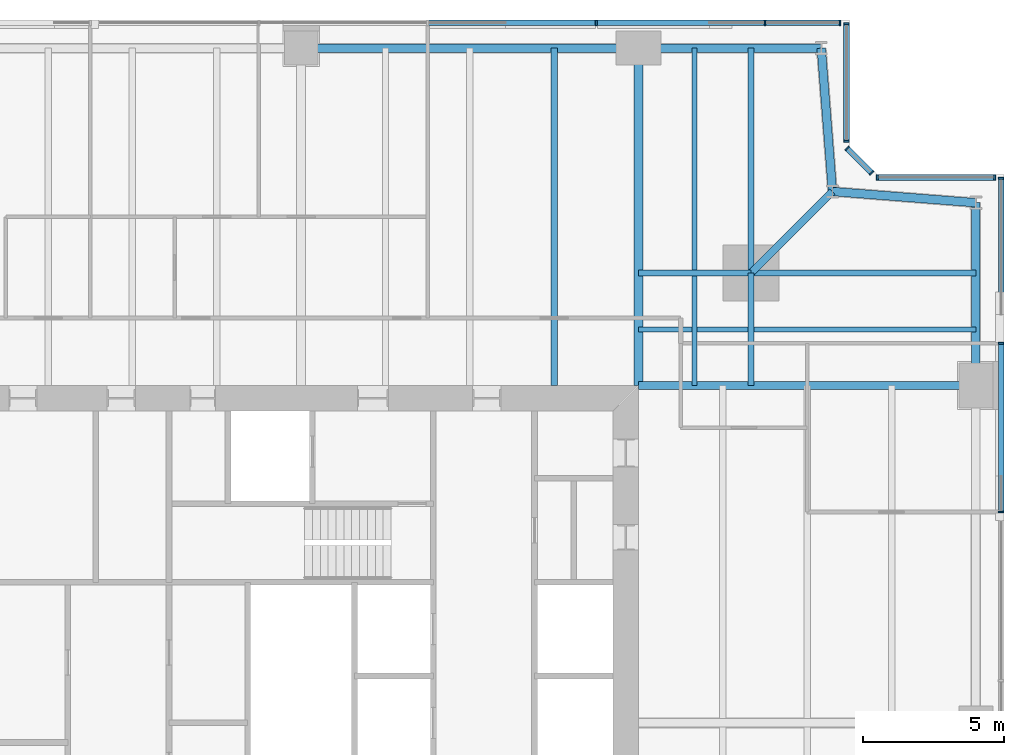
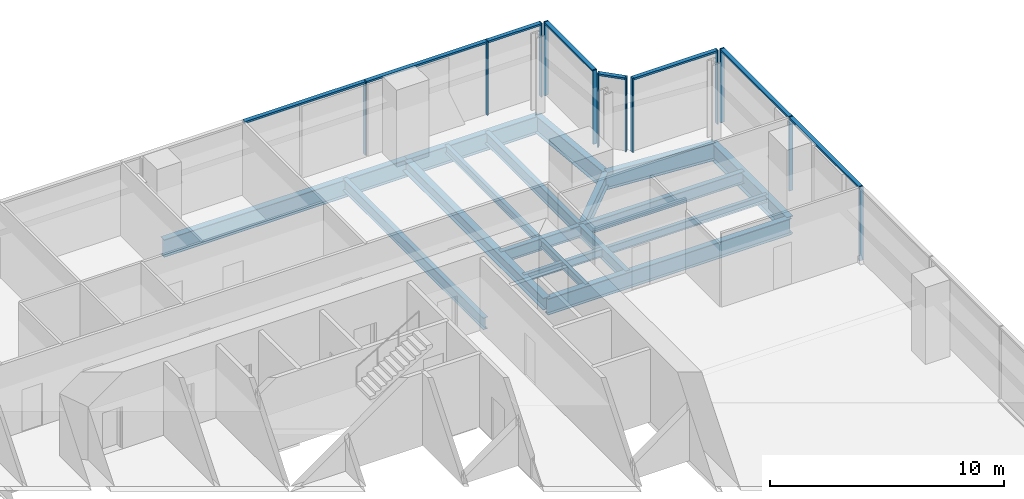
# One storey, part 7 of 14: 20 members, 18 beams, 5 elements without a shape of their own.
"""IFC4 building model written with IfcOpenShell, lengths in metres."""

from ifc_helpers import new_model, si_unit, direction, frame, origin, origin_2d, place, context, subcontext, project, spatial, rectangle, i_section, extrude, material, material_profile, profile_set, type_object, element, aggregate, save


model = new_model("IFC4")

# Units and contexts
model_context = context("Model", 3, precision=1e-05, world=origin(), true_north=direction((0.0, 1.0)))
body_context = subcontext(model_context, "Body", "Model", "MODEL_VIEW")
ifc_project = project(units=[si_unit("LENGTHUNIT", "METRE"), si_unit("AREAUNIT", "SQUARE_METRE"), si_unit("VOLUMEUNIT", "CUBIC_METRE"), si_unit("PLANEANGLEUNIT", "RADIAN"), si_unit("MASSUNIT", "GRAM", prefix="KILO")], contexts=[model_context])

# Site, building, storey
site_placement = place(None, origin())
site = spatial("IfcSite", under=ifc_project, at=site_placement, CompositionType="ELEMENT")
building_placement = place(site_placement, origin())
building = spatial("IfcBuilding", under=site, at=building_placement, Name="Fenwick Lantern Interchange", CompositionType="ELEMENT")
storey_placement = place(building_placement, frame((0.0, 0.0, 197.800048828125)))
storey = spatial("IfcBuildingStorey", under=building, at=storey_placement, Name="L46", CompositionType="ELEMENT", Elevation=197.800048828125)

# Beams
ifc_material_1 = material(Name="Steel ASTM A992 Grade 50", Category="steel")
ifc_material_profile_1 = material_profile(ifc_material_1, i_section(OverallWidth=0.3046875, OverallDepth=0.911865234375, WebThickness=0.015869140625, FlangeThickness=0.02392578125, at=origin_2d()), Name="W36X150")
ifc_profile_set_1 = profile_set([ifc_material_profile_1], Name="Steel ASTM A992 Grade 50")
beam_type_1 = type_object("IfcBeamType", Name="EDGE BEAM W36X150", PredefinedType="SPANDREL", material=ifc_profile_set_1)
beam_1_placement = place(storey_placement, frame((49.0, 37.0, -0.60595703125), z_axis=(0.0, 1.0, 0.0), x_axis=(-1.0, 0.0, 0.0)))
element("IfcBeam", 1, at=beam_1_placement, inside=storey, type_object=beam_type_1, Name="L46/FR/E/EB4", PredefinedType="SPANDREL", context=body_context, shape_type="SweptSolid", body=[
    extrude(i_section(OverallWidth=0.3046875, OverallDepth=0.911865234375, WebThickness=0.015869140625, FlangeThickness=0.02392578125, at=origin_2d()), origin(), (0.0, 0.0, 1.0), 6.5),
])
for number, where, z_axis, x_axis, name in (
    (2, (49.0, 43.5, -0.60595703125), (-0.99693998236, 0.078170784639, 0.0), (-0.078170784639, -0.99693998236, 0.0), "L46/FR/E/EBR1"),
    (3, (43.89990234375, 43.89990234375, -0.60595703125), (-0.078170784639, 0.99693998236, 0.0), (-0.99693998236, -0.078170784639, 0.0), "L46/FR/E/EBR2"),
):
    element("IfcBeam", number, at=place(storey_placement, frame(where, z_axis=z_axis, x_axis=x_axis)), inside=storey, type_object=beam_type_1, Name=name, PredefinedType="SPANDREL", context=body_context, shape_type="SweptSolid", body=[
        extrude(i_section(OverallWidth=0.3046875, OverallDepth=0.911865234375, WebThickness=0.015869140625, FlangeThickness=0.02392578125, at=origin_2d()), origin(), (0.0, 0.0, 1.0), 5.11572265625),
    ])
beam_2_placement = place(storey_placement, frame((43.5, 49.0, -0.60595703125), z_axis=(-1.0, 0.0, 0.0), x_axis=(0.0, -1.0, 0.0)))
element("IfcBeam", 4, at=beam_2_placement, inside=storey, type_object=beam_type_1, Name="L46/FR/N/EB1", PredefinedType="SPANDREL", context=body_context, shape_type="SweptSolid", body=[
    extrude(i_section(OverallWidth=0.3046875, OverallDepth=0.911865234375, WebThickness=0.015869140625, FlangeThickness=0.02392578125, at=origin_2d()), origin(), (0.0, 0.0, 1.0), 6.5),
])
beam_3_placement = place(storey_placement, frame((37.0, 49.0, -0.60595703125), z_axis=(-1.0, 0.0, 0.0), x_axis=(0.0, -1.0, 0.0)))
element("IfcBeam", 5, at=beam_3_placement, inside=storey, type_object=beam_type_1, Name="L46/FR/N/EB2", PredefinedType="SPANDREL", context=body_context, shape_type="SweptSolid", body=[
    extrude(i_section(OverallWidth=0.3046875, OverallDepth=0.911865234375, WebThickness=0.015869140625, FlangeThickness=0.02392578125, at=origin_2d()), origin(), (0.0, 0.0, 1.0), 12.0),
])
ifc_material_profile_2 = material_profile(ifc_material_1, i_section(OverallWidth=0.22900390625, OverallDepth=0.612060546875, WebThickness=0.011962890625, FlangeThickness=0.01953125, at=origin_2d()), Name="W24X84")
ifc_profile_set_2 = profile_set([ifc_material_profile_2], Name="Steel ASTM A992 Grade 50")
beam_type_2 = type_object("IfcBeamType", Name="FLOOR BEAM W24X84", PredefinedType="BEAM", material=ifc_profile_set_2)
beam_4_placement = place(storey_placement, frame((34.0, 49.0, -0.4560546875), z_axis=(0.0, -1.0, 0.0), x_axis=(1.0, 0.0, 0.0)))
element("IfcBeam", 6, at=beam_4_placement, inside=storey, type_object=beam_type_2, Name="L46/FR/N/R02", PredefinedType="BEAM", context=body_context, shape_type="SweptSolid", body=[
    extrude(i_section(OverallWidth=0.22900390625, OverallDepth=0.612060546875, WebThickness=0.011962890625, FlangeThickness=0.01953125, at=origin_2d()), origin(), (0.0, 0.0, 1.0), 12.0),
])
ifc_material_profile_3 = material_profile(ifc_material_1, i_section(OverallWidth=0.177734375, OverallDepth=0.406494140625, WebThickness=0.0078125, FlangeThickness=0.012939453125, at=origin_2d()), Name="W16X40")
ifc_profile_set_3 = profile_set([ifc_material_profile_3], Name="Steel ASTM A992 Grade 50")
beam_type_3 = type_object("IfcBeamType", Name="INFILL BEAM W16X40", PredefinedType="JOIST", material=ifc_profile_set_3)
beam_5_placement = place(storey_placement, frame((39.0, 49.0, -0.353271484375), z_axis=(0.0, -1.0, 0.0), x_axis=(1.0, 0.0, 0.0)))
element("IfcBeam", 7, at=beam_5_placement, inside=storey, type_object=beam_type_3, Name="L46/FR/N/J1", PredefinedType="JOIST", context=body_context, shape_type="SweptSolid", body=[
    extrude(i_section(OverallWidth=0.177734375, OverallDepth=0.406494140625, WebThickness=0.0078125, FlangeThickness=0.012939453125, at=origin_2d()), origin(), (0.0, 0.0, 1.0), 7.885498046875),
])
beam_6_placement = place(storey_placement, frame((39.0, 40.885498046875, -0.353271484375), z_axis=(0.0, -1.0, 0.0), x_axis=(1.0, 0.0, 0.0)))
element("IfcBeam", 8, at=beam_6_placement, inside=storey, type_object=beam_type_3, Name="L46/FR/N/J2", PredefinedType="JOIST", context=body_context, shape_type="SweptSolid", body=[
    extrude(i_section(OverallWidth=0.177734375, OverallDepth=0.406494140625, WebThickness=0.0078125, FlangeThickness=0.012939453125, at=origin_2d()), origin(), (0.0, 0.0, 1.0), 3.885498046875),
])
beam_7_placement = place(storey_placement, frame((49.0, 39.0, -0.353271484375), z_axis=(-1.0, 0.0, 0.0), x_axis=(0.0, -1.0, 0.0)))
element("IfcBeam", 9, at=beam_7_placement, inside=storey, type_object=beam_type_3, Name="L46/FR/N/J3", PredefinedType="JOIST", context=body_context, shape_type="SweptSolid", body=[
    extrude(i_section(OverallWidth=0.177734375, OverallDepth=0.406494140625, WebThickness=0.0078125, FlangeThickness=0.012939453125, at=origin_2d()), origin(), (0.0, 0.0, 1.0), 7.885498046875),
])
beam_8_placement = place(storey_placement, frame((40.885498046875, 39.0, -0.353271484375), z_axis=(-1.0, 0.0, 0.0), x_axis=(0.0, -1.0, 0.0)))
element("IfcBeam", 10, at=beam_8_placement, inside=storey, type_object=beam_type_3, Name="L46/FR/N/J4", PredefinedType="JOIST", context=body_context, shape_type="SweptSolid", body=[
    extrude(i_section(OverallWidth=0.177734375, OverallDepth=0.406494140625, WebThickness=0.0078125, FlangeThickness=0.012939453125, at=origin_2d()), origin(), (0.0, 0.0, 1.0), 1.796630859375),
])
beam_9_placement = place(storey_placement, frame((38.9111328125, 39.0, -0.353271484375), z_axis=(-1.0, 0.0, 0.0), x_axis=(0.0, -1.0, 0.0)))
element("IfcBeam", 11, at=beam_9_placement, inside=storey, type_object=beam_type_3, Name="L46/FR/N/J5", PredefinedType="JOIST", context=body_context, shape_type="SweptSolid", body=[
    extrude(i_section(OverallWidth=0.177734375, OverallDepth=0.406494140625, WebThickness=0.0078125, FlangeThickness=0.012939453125, at=origin_2d()), origin(), (0.0, 0.0, 1.0), 1.9111328125),
])
ifc_material_profile_4 = material_profile(ifc_material_1, i_section(OverallWidth=0.22900390625, OverallDepth=0.612060546875, WebThickness=0.011962890625, FlangeThickness=0.01953125, at=origin_2d()), Name="W24X84")
ifc_profile_set_4 = profile_set([ifc_material_profile_4], Name="Steel ASTM A992 Grade 50")
beam_type_4 = type_object("IfcBeamType", Name="MEGA COLUMN BEAM W24X84", PredefinedType="BEAM", material=ifc_profile_set_4)
for number, where, z_axis, x_axis, name in (
    (12, (41.0, 41.0, -0.4560546875), (0.0, 1.0, 0.0), (-1.0, 0.0, 0.0), "L46/FR/N/MB1"),
    (13, (41.0, 41.0, -0.4560546875), (1.0, 0.0, 0.0), (0.0, 1.0, 0.0), "L46/FR/N/MB2"),
):
    element("IfcBeam", number, at=place(storey_placement, frame(where, z_axis=z_axis, x_axis=x_axis)), inside=storey, type_object=beam_type_4, Name=name, PredefinedType="BEAM", context=body_context, shape_type="SweptSolid", body=[
        extrude(i_section(OverallWidth=0.22900390625, OverallDepth=0.612060546875, WebThickness=0.011962890625, FlangeThickness=0.01953125, at=origin_2d()), origin(), (0.0, 0.0, 1.0), 8.0),
    ])
for number, where, z_axis, x_axis, name in (
    (14, (41.0, 41.0, -0.4560546875), (-1.0, 0.0, 0.0), (0.0, -1.0, 0.0), "L46/FR/N/MB3"),
    (15, (41.0, 41.0, -0.4560546875), (0.0, -1.0, 0.0), (1.0, 0.0, 0.0), "L46/FR/N/MB4"),
):
    element("IfcBeam", number, at=place(storey_placement, frame(where, z_axis=z_axis, x_axis=x_axis)), inside=storey, type_object=beam_type_4, Name=name, PredefinedType="BEAM", context=body_context, shape_type="SweptSolid", body=[
        extrude(i_section(OverallWidth=0.22900390625, OverallDepth=0.612060546875, WebThickness=0.011962890625, FlangeThickness=0.01953125, at=origin_2d()), origin(), (0.0, 0.0, 1.0), 4.0),
    ])
ifc_material_profile_5 = material_profile(ifc_material_1, i_section(OverallWidth=0.32763671875, OverallDepth=0.622314453125, WebThickness=0.015380859375, FlangeThickness=0.0244140625, at=origin_2d()), Name="W24X131")
ifc_profile_set_5 = profile_set([ifc_material_profile_5], Name="Steel ASTM A992 Grade 50")
beam_type_5 = type_object("IfcBeamType", Name="MOMENT-CONNECTED GIRDER W24X131", PredefinedType="BEAM", material=ifc_profile_set_5)
beam_10_placement = place(storey_placement, frame((37.0, 49.0, -0.461181640625), z_axis=(0.0, -1.0, 0.0), x_axis=(1.0, 0.0, 0.0)))
element("IfcBeam", 16, at=beam_10_placement, inside=storey, type_object=beam_type_5, Name="L46/FR/N/R01", PredefinedType="BEAM", context=body_context, shape_type="SweptSolid", body=[
    extrude(i_section(OverallWidth=0.32763671875, OverallDepth=0.622314453125, WebThickness=0.015380859375, FlangeThickness=0.0244140625, at=origin_2d()), origin(), (0.0, 0.0, 1.0), 12.0),
])
ifc_material_profile_6 = material_profile(ifc_material_1, i_section(OverallWidth=0.2919921875, OverallDepth=0.845703125, WebThickness=0.015380859375, FlangeThickness=0.0244140625, at=origin_2d()), Name="W33X141")
ifc_profile_set_6 = profile_set([ifc_material_profile_6], Name="Steel ASTM A992 Grade 50")
beam_type_6 = type_object("IfcBeamType", Name="MOMENT-CONNECTED GIRDER W33X141", PredefinedType="BEAM", material=ifc_profile_set_6)
beam_11_placement = place(storey_placement, frame((49.0, 37.0, -0.572998046875), z_axis=(-1.0, 0.0, 0.0), x_axis=(0.0, -1.0, 0.0)))
element("IfcBeam", 17, at=beam_11_placement, inside=storey, type_object=beam_type_6, Name="L46/FR/E/R03", PredefinedType="BEAM", context=body_context, shape_type="SweptSolid", body=[
    extrude(i_section(OverallWidth=0.2919921875, OverallDepth=0.845703125, WebThickness=0.015380859375, FlangeThickness=0.0244140625, at=origin_2d()), origin(), (0.0, 0.0, 1.0), 12.0),
])
ifc_material_profile_7 = material_profile(ifc_material_1, i_section(OverallWidth=0.2666015625, OverallDepth=0.7568359375, WebThickness=0.013916015625, FlangeThickness=0.019287109375, at=origin_2d()), Name="W30X108")
ifc_profile_set_7 = profile_set([ifc_material_profile_7], Name="Steel ASTM A992 Grade 50")
beam_type_7 = type_object("IfcBeamType", Name="NOTCH BEAM W30X108", PredefinedType="BEAM", material=ifc_profile_set_7)
beam_12_placement = place(storey_placement, frame((41.0, 41.0, -0.528564453125), z_axis=(0.707106781187, 0.707106781187, 0.0), x_axis=(-0.707106781187, 0.707106781187, 0.0)))
element("IfcBeam", 18, at=beam_12_placement, inside=storey, type_object=beam_type_7, Name="L46/FR/N/TG", PredefinedType="BEAM", context=body_context, shape_type="SweptSolid", body=[
    extrude(i_section(OverallWidth=0.2666015625, OverallDepth=0.7568359375, WebThickness=0.013916015625, FlangeThickness=0.019287109375, at=origin_2d()), origin(), (0.0, 0.0, 1.0), 4.10107421875),
])

# Curtain wall, members
ifc_material_2 = material(Name="Aluminium curtain wall frame", Category="aluminium")
curtain_wall_type = type_object("IfcCurtainWallType", Name="OFFICE CURTAIN WALL", PredefinedType="USERDEFINED", material=ifc_material_2)
curtain_wall_1_placement = place(storey_placement, origin())
curtain_wall_1 = element("IfcCurtainWall", 19, at=curtain_wall_1_placement, inside=storey, type_object=curtain_wall_type, Name="Office curtain wall 05", ObjectType="OFFICE CURTAIN WALL", PredefinedType="USERDEFINED")
ifc_material_3 = material(Name="Aluminium extrusion", Category="aluminium")
ifc_material_profile_8 = material_profile(ifc_material_3, rectangle(XDim=0.199951171875, YDim=0.06494140625, at=origin_2d()), Name="OFFICE CURTAIN WALL MULLION 65 X 200")
ifc_profile_set_8 = profile_set([ifc_material_profile_8], Name="Aluminium extrusion")
member_type_1 = type_object("IfcMemberType", Name="OFFICE CURTAIN WALL MULLION 65 X 200", PredefinedType="MULLION", material=ifc_profile_set_8)
member_1_placement = place(storey_placement, frame((49.89990234375, 32.5, 0.0), z_axis=(0.0, 0.0, 1.0), x_axis=(-1.0, 0.0, 0.0)))
member_1 = element("IfcMember", 20, at=member_1_placement, type_object=member_type_1, Name="L46/CW/05/M05", PredefinedType="MULLION", context=body_context, shape_type="SweptSolid", body=[
    extrude(rectangle(XDim=0.199951171875, YDim=0.06494140625, at=origin_2d()), origin(), (0.0, 0.0, 1.0), 3.849853515625),
])
member_2_placement = place(storey_placement, frame((49.89990234375, 38.5, 0.0), z_axis=(0.0, 0.0, 1.0), x_axis=(-1.0, 0.0, 0.0)))
member_2 = element("IfcMember", 21, at=member_2_placement, type_object=member_type_1, Name="L46/CW/05/M06", PredefinedType="MULLION", context=body_context, shape_type="SweptSolid", body=[
    extrude(rectangle(XDim=0.199951171875, YDim=0.06494140625, at=origin_2d()), origin(), (0.0, 0.0, 1.0), 3.849853515625),
])
member_3_placement = place(storey_placement, frame((49.89990234375, 44.367431640625, 0.0), z_axis=(0.0, 0.0, 1.0), x_axis=(-1.0, 0.0, 0.0)))
member_3 = element("IfcMember", 22, at=member_3_placement, type_object=member_type_1, Name="L46/CW/05/M07", PredefinedType="MULLION", context=body_context, shape_type="SweptSolid", body=[
    extrude(rectangle(XDim=0.199951171875, YDim=0.06494140625, at=origin_2d()), origin(), (0.0, 0.0, 1.0), 3.849853515625),
])

curtain_wall_2_placement = place(storey_placement, origin())
curtain_wall_2 = element("IfcCurtainWall", 23, at=curtain_wall_2_placement, inside=storey, type_object=curtain_wall_type, Name="Office curtain wall 06", ObjectType="OFFICE CURTAIN WALL", PredefinedType="USERDEFINED")
member_4_placement = place(storey_placement, frame((49.66748046875, 44.39990234375, 0.0), z_axis=(0.0, 0.0, 1.0), x_axis=(0.0, -1.0, 0.0)))
member_4 = element("IfcMember", 24, at=member_4_placement, type_object=member_type_1, Name="L46/CW/06/M00", PredefinedType="MULLION", context=body_context, shape_type="SweptSolid", body=[
    extrude(rectangle(XDim=0.199951171875, YDim=0.06494140625, at=origin_2d()), origin(), (0.0, 0.0, 1.0), 3.849853515625),
])
member_5_placement = place(storey_placement, frame((45.490966796875, 44.39990234375, 0.0), z_axis=(0.0, 0.0, 1.0), x_axis=(0.0, -1.0, 0.0)))
member_5 = element("IfcMember", 25, at=member_5_placement, type_object=member_type_1, Name="L46/CW/06/M01", PredefinedType="MULLION", context=body_context, shape_type="SweptSolid", body=[
    extrude(rectangle(XDim=0.199951171875, YDim=0.06494140625, at=origin_2d()), origin(), (0.0, 0.0, 1.0), 3.849853515625),
])

curtain_wall_3_placement = place(storey_placement, origin())
curtain_wall_3 = element("IfcCurtainWall", 26, at=curtain_wall_3_placement, inside=storey, type_object=curtain_wall_type, Name="Office curtain wall 07", ObjectType="OFFICE CURTAIN WALL", PredefinedType="USERDEFINED")
member_6_placement = place(storey_placement, frame((45.294189453125, 44.564453125, 0.0), z_axis=(0.0, 0.0, 1.0), x_axis=(-0.707106781187, -0.707106781187, 0.0)))
member_6 = element("IfcMember", 27, at=member_6_placement, type_object=member_type_1, Name="L46/CW/07/M00", PredefinedType="MULLION", context=body_context, shape_type="SweptSolid", body=[
    extrude(rectangle(XDim=0.199951171875, YDim=0.06494140625, at=origin_2d()), origin(), (0.0, 0.0, 1.0), 3.849853515625),
])
member_7_placement = place(storey_placement, frame((44.423095703125, 45.435546875, 0.0), z_axis=(0.0, 0.0, 1.0), x_axis=(-0.707106781187, -0.707106781187, 0.0)))
member_7 = element("IfcMember", 28, at=member_7_placement, type_object=member_type_1, Name="L46/CW/07/M01", PredefinedType="MULLION", context=body_context, shape_type="SweptSolid", body=[
    extrude(rectangle(XDim=0.199951171875, YDim=0.06494140625, at=origin_2d()), origin(), (0.0, 0.0, 1.0), 3.849853515625),
])

curtain_wall_4_placement = place(storey_placement, origin())
curtain_wall_4 = element("IfcCurtainWall", 29, at=curtain_wall_4_placement, inside=storey, type_object=curtain_wall_type, Name="Office curtain wall 08", ObjectType="OFFICE CURTAIN WALL", PredefinedType="USERDEFINED")
member_8_placement = place(storey_placement, frame((44.39990234375, 45.691162109375, 0.0), z_axis=(0.0, 0.0, 1.0), x_axis=(-1.0, 0.0, 0.0)))
member_8 = element("IfcMember", 30, at=member_8_placement, type_object=member_type_1, Name="L46/CW/08/M00", PredefinedType="MULLION", context=body_context, shape_type="SweptSolid", body=[
    extrude(rectangle(XDim=0.199951171875, YDim=0.06494140625, at=origin_2d()), origin(), (0.0, 0.0, 1.0), 3.849853515625),
])
member_9_placement = place(storey_placement, frame((44.39990234375, 49.867431640625, 0.0), z_axis=(0.0, 0.0, 1.0), x_axis=(-1.0, 0.0, 0.0)))
member_9 = element("IfcMember", 31, at=member_9_placement, type_object=member_type_1, Name="L46/CW/08/M01", PredefinedType="MULLION", context=body_context, shape_type="SweptSolid", body=[
    extrude(rectangle(XDim=0.199951171875, YDim=0.06494140625, at=origin_2d()), origin(), (0.0, 0.0, 1.0), 3.849853515625),
])

curtain_wall_5_placement = place(storey_placement, origin())
curtain_wall_5 = element("IfcCurtainWall", 32, at=curtain_wall_5_placement, inside=storey, type_object=curtain_wall_type, Name="Office curtain wall 09", ObjectType="OFFICE CURTAIN WALL", PredefinedType="USERDEFINED")
member_10_placement = place(storey_placement, frame((44.16748046875, 49.89990234375, 0.0), z_axis=(0.0, 0.0, 1.0), x_axis=(0.0, -1.0, 0.0)))
member_10 = element("IfcMember", 33, at=member_10_placement, type_object=member_type_1, Name="L46/CW/09/M00", PredefinedType="MULLION", context=body_context, shape_type="SweptSolid", body=[
    extrude(rectangle(XDim=0.199951171875, YDim=0.06494140625, at=origin_2d()), origin(), (0.0, 0.0, 1.0), 3.849853515625),
])
member_11_placement = place(storey_placement, frame((41.5, 49.89990234375, 0.0), z_axis=(0.0, 0.0, 1.0), x_axis=(0.0, -1.0, 0.0)))
member_11 = element("IfcMember", 34, at=member_11_placement, type_object=member_type_1, Name="L46/CW/09/M01", PredefinedType="MULLION", context=body_context, shape_type="SweptSolid", body=[
    extrude(rectangle(XDim=0.199951171875, YDim=0.06494140625, at=origin_2d()), origin(), (0.0, 0.0, 1.0), 3.849853515625),
])
member_12_placement = place(storey_placement, frame((35.5, 49.89990234375, 0.0), z_axis=(0.0, 0.0, 1.0), x_axis=(0.0, -1.0, 0.0)))
member_12 = element("IfcMember", 35, at=member_12_placement, type_object=member_type_1, Name="L46/CW/09/M02", PredefinedType="MULLION", context=body_context, shape_type="SweptSolid", body=[
    extrude(rectangle(XDim=0.199951171875, YDim=0.06494140625, at=origin_2d()), origin(), (0.0, 0.0, 1.0), 3.849853515625),
])

# Member
ifc_material_profile_9 = material_profile(ifc_material_3, rectangle(XDim=0.199951171875, YDim=0.10009765625, at=origin_2d()), Name="OFFICE CURTAIN WALL TRANSOM 100 X 200")
ifc_profile_set_9 = profile_set([ifc_material_profile_9], Name="Aluminium extrusion")
member_type_2 = type_object("IfcMemberType", Name="OFFICE CURTAIN WALL TRANSOM 100 X 200", PredefinedType="MULLION", material=ifc_profile_set_9)
member_13_placement = place(storey_placement, frame((49.89990234375, 32.532470703125, 3.800048828125), z_axis=(0.0, 1.0, 0.0), x_axis=(-1.0, 0.0, 0.0)))
member_13 = element("IfcMember", 36, at=member_13_placement, type_object=member_type_2, Name="L46/CW/05/T05", PredefinedType="MULLION", context=body_context, shape_type="SweptSolid", body=[
    extrude(rectangle(XDim=0.199951171875, YDim=0.10009765625, at=origin_2d()), origin(), (0.0, 0.0, 1.0), 5.93505859375),
])

member_14_placement = place(storey_placement, frame((49.89990234375, 38.532470703125, 3.800048828125), z_axis=(0.0, 1.0, 0.0), x_axis=(-1.0, 0.0, 0.0)))
member_14 = element("IfcMember", 37, at=member_14_placement, type_object=member_type_2, Name="L46/CW/05/T06", PredefinedType="MULLION", context=body_context, shape_type="SweptSolid", body=[
    extrude(rectangle(XDim=0.199951171875, YDim=0.10009765625, at=origin_2d()), origin(), (0.0, 0.0, 1.0), 5.802490234375),
])

aggregate(curtain_wall_1, [member_1, member_2, member_3, member_13, member_14])

member_15_placement = place(storey_placement, frame((49.635009765625, 44.39990234375, 3.800048828125), z_axis=(-1.0, 0.0, 0.0), x_axis=(0.0, -1.0, 0.0)))
member_15 = element("IfcMember", 38, at=member_15_placement, type_object=member_type_2, Name="L46/CW/06/T00", PredefinedType="MULLION", context=body_context, shape_type="SweptSolid", body=[
    extrude(rectangle(XDim=0.199951171875, YDim=0.10009765625, at=origin_2d()), origin(), (0.0, 0.0, 1.0), 4.111328125),
])

aggregate(curtain_wall_2, [member_4, member_5, member_15])

member_16_placement = place(storey_placement, frame((45.271240234375, 44.58740234375, 3.800048828125), z_axis=(-0.707106781187, 0.707106781187, 0.0), x_axis=(-0.707106781187, -0.707106781187, 0.0)))
member_16 = element("IfcMember", 39, at=member_16_placement, type_object=member_type_2, Name="L46/CW/07/T00", PredefinedType="MULLION", context=body_context, shape_type="SweptSolid", body=[
    extrude(rectangle(XDim=0.199951171875, YDim=0.10009765625, at=origin_2d()), origin(), (0.0, 0.0, 1.0), 1.1669921875),
])

aggregate(curtain_wall_3, [member_6, member_7, member_16])

member_17_placement = place(storey_placement, frame((44.39990234375, 45.7236328125, 3.800048828125), z_axis=(0.0, 1.0, 0.0), x_axis=(-1.0, 0.0, 0.0)))
member_17 = element("IfcMember", 40, at=member_17_placement, type_object=member_type_2, Name="L46/CW/08/T00", PredefinedType="MULLION", context=body_context, shape_type="SweptSolid", body=[
    extrude(rectangle(XDim=0.199951171875, YDim=0.10009765625, at=origin_2d()), origin(), (0.0, 0.0, 1.0), 4.111328125),
])

aggregate(curtain_wall_4, [member_8, member_9, member_17])

member_18_placement = place(storey_placement, frame((44.135009765625, 49.89990234375, 3.800048828125), z_axis=(-1.0, 0.0, 0.0), x_axis=(0.0, -1.0, 0.0)))
member_18 = element("IfcMember", 41, at=member_18_placement, type_object=member_type_2, Name="L46/CW/09/T00", PredefinedType="MULLION", context=body_context, shape_type="SweptSolid", body=[
    extrude(rectangle(XDim=0.199951171875, YDim=0.10009765625, at=origin_2d()), origin(), (0.0, 0.0, 1.0), 2.6025390625),
])

member_19_placement = place(storey_placement, frame((41.467529296875, 49.89990234375, 3.800048828125), z_axis=(-1.0, 0.0, 0.0), x_axis=(0.0, -1.0, 0.0)))
member_19 = element("IfcMember", 42, at=member_19_placement, type_object=member_type_2, Name="L46/CW/09/T01", PredefinedType="MULLION", context=body_context, shape_type="SweptSolid", body=[
    extrude(rectangle(XDim=0.199951171875, YDim=0.10009765625, at=origin_2d()), origin(), (0.0, 0.0, 1.0), 5.93505859375),
])

member_20_placement = place(storey_placement, frame((35.467529296875, 49.89990234375, 3.800048828125), z_axis=(-1.0, 0.0, 0.0), x_axis=(0.0, -1.0, 0.0)))
member_20 = element("IfcMember", 43, at=member_20_placement, type_object=member_type_2, Name="L46/CW/09/T02", PredefinedType="MULLION", context=body_context, shape_type="SweptSolid", body=[
    extrude(rectangle(XDim=0.199951171875, YDim=0.10009765625, at=origin_2d()), origin(), (0.0, 0.0, 1.0), 5.93505859375),
])

aggregate(curtain_wall_5, [member_10, member_11, member_12, member_18, member_19, member_20])

save(model, "model.ifc")
